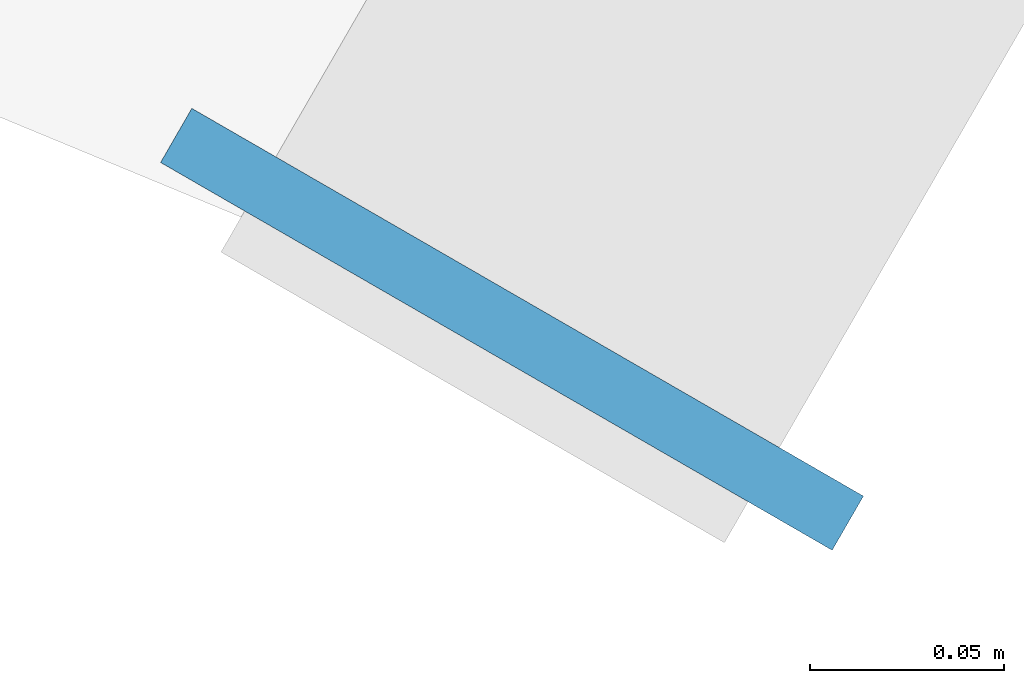
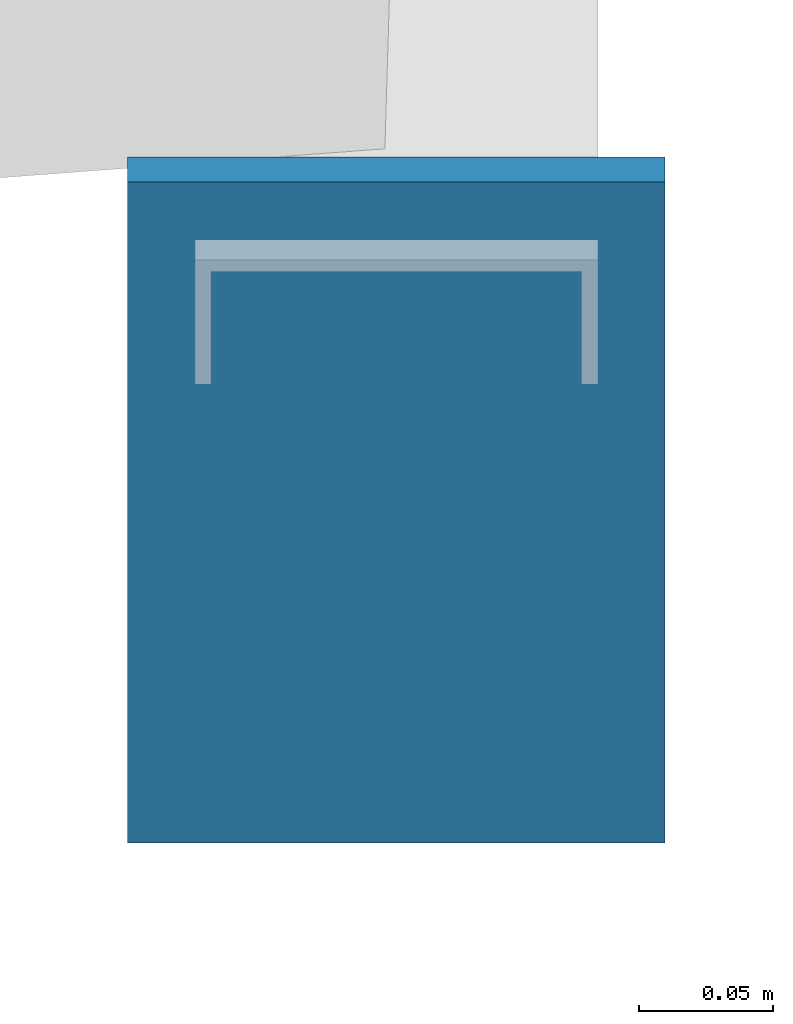
# One storey, part 45 of 70: 1 plate.
"""IFC4 building model written with IfcOpenShell, lengths in metres."""

from ifc_helpers import new_model, si_unit, direction, frame, origin, origin_2d, place, context, subcontext, project, spatial, rectangle, extrude, material, layer, layer_set, type_object, element, save


model = new_model("IFC4")

# Units and contexts
model_context = context("Model", 3, precision=1e-05, world=origin(), true_north=direction((0.0, 1.0)))
body_context = subcontext(model_context, "Body", "Model", "MODEL_VIEW")
ifc_project = project(units=[si_unit("LENGTHUNIT", "METRE"), si_unit("AREAUNIT", "SQUARE_METRE"), si_unit("VOLUMEUNIT", "CUBIC_METRE"), si_unit("PLANEANGLEUNIT", "RADIAN"), si_unit("MASSUNIT", "GRAM", prefix="KILO")], contexts=[model_context])

# Site, building, storey
site_placement = place(None, origin())
site = spatial("IfcSite", under=ifc_project, at=site_placement, CompositionType="ELEMENT")
building_placement = place(site_placement, origin())
building = spatial("IfcBuilding", under=site, at=building_placement, Name="Vondelvale Polytechnic", CompositionType="ELEMENT")
storey_placement = place(building_placement, frame((0.0, 0.0, 22.199951171875)))
storey = spatial("IfcBuildingStorey", under=building, at=storey_placement, Name="L05", CompositionType="ELEMENT", Elevation=22.199951171875)

# Plate
ifc_material = material(Name="Steel Grade 350 (fy = 340 MPa)", Category="steel")
ifc_layer = layer(ifc_material, 0.01611328125)
ifc_layer_set = layer_set([ifc_layer], Name="PLATE-CAP-300x200")
plate_type = type_object("IfcPlateType", Name="PLATE-CAP-300x200", PredefinedType="USERDEFINED", material=ifc_layer_set)
plate_placement = place(storey_placement, frame((114.699951171875, 93.9970703125, -0.18408203125), z_axis=(0.0, 0.0, 1.0), x_axis=(-0.5, -0.866025403784, 0.0)))
element("IfcPlate", 1, at=plate_placement, inside=storey, type_object=plate_type, Name="Ring rafter hollow end cap plate 04I", ObjectType="CAP_PLATE", PredefinedType="USERDEFINED", context=body_context, shape_type="SweptSolid", body=[
    extrude(rectangle(XDim=0.01611328125, YDim=0.199951171875, at=origin_2d()), origin(), (0.0, 0.0, 1.0), 0.300048828125),
])

save(model, "model.ifc")
